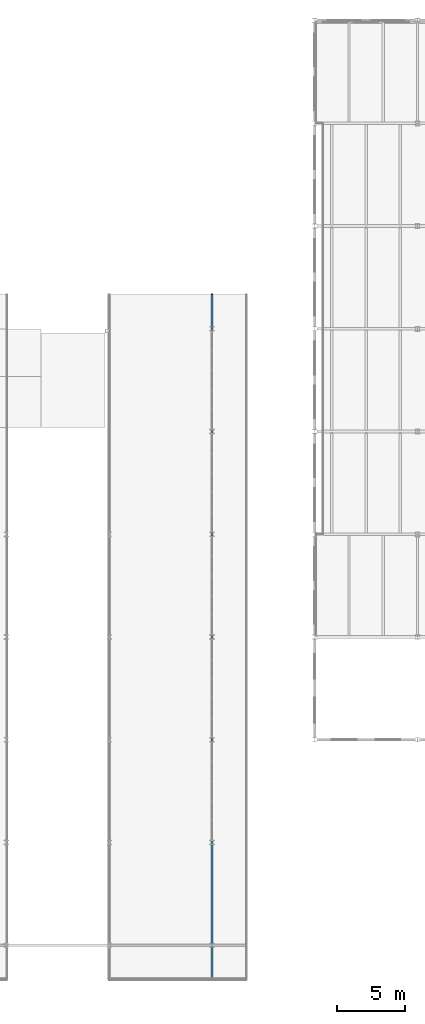
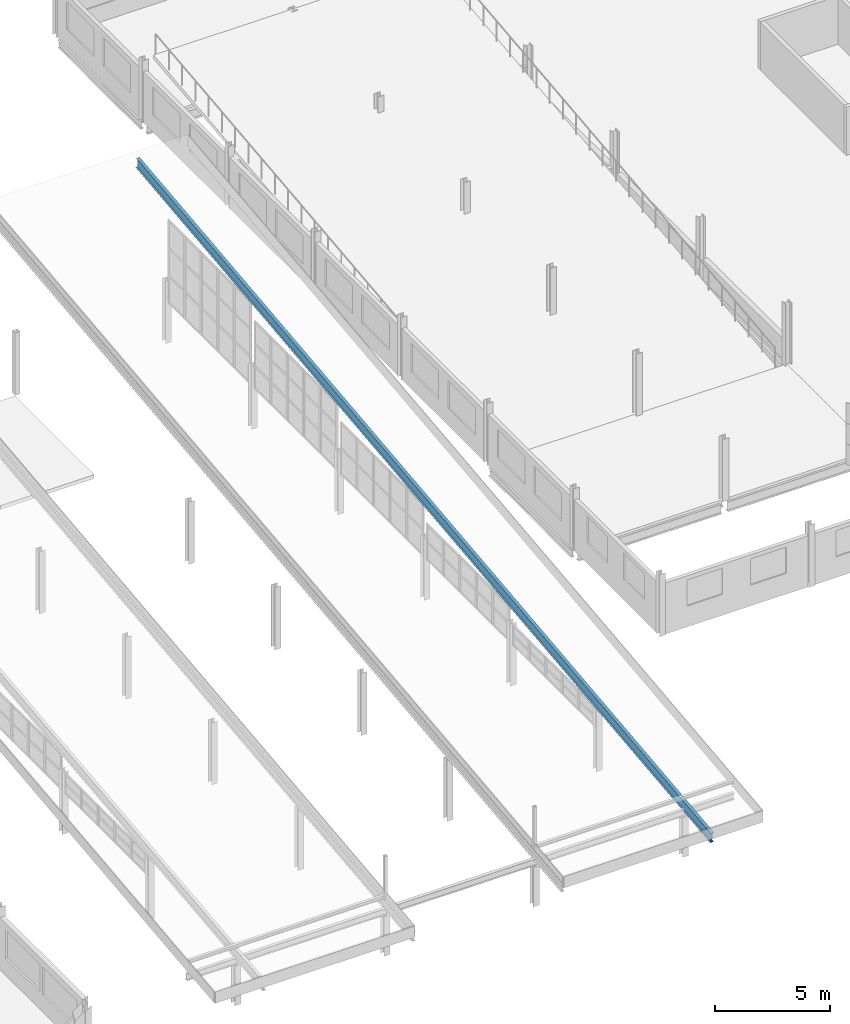
# One storey, part 38 of 199: 1 member.
"""IFC4 building model written with IfcOpenShell, lengths in metres."""

from ifc_helpers import new_model, si_unit, direction, frame, origin, origin_2d, place, context, subcontext, project, spatial, i_section, extrude, material, material_profile, profile_set, type_object, element, save


model = new_model("IFC4")

# Units and contexts
model_context = context("Model", 3, precision=1e-05, world=origin(), true_north=direction((0.0, 1.0)))
body_context = subcontext(model_context, "Body", "Model", "MODEL_VIEW")
ifc_project = project(units=[si_unit("LENGTHUNIT", "METRE"), si_unit("AREAUNIT", "SQUARE_METRE"), si_unit("VOLUMEUNIT", "CUBIC_METRE"), si_unit("PLANEANGLEUNIT", "RADIAN"), si_unit("MASSUNIT", "GRAM", prefix="KILO")], contexts=[model_context])

# Site, building, storey
site_placement = place(None, origin())
site = spatial("IfcSite", under=ifc_project, at=site_placement, CompositionType="ELEMENT")
building_placement = place(site_placement, origin())
building = spatial("IfcBuilding", under=site, at=building_placement, Name="Parallax Yard Mobility Hub", CompositionType="ELEMENT")
storey_placement = place(building_placement, frame((0.0, 0.0, 9.89990234375)))
storey = spatial("IfcBuildingStorey", under=building, at=storey_placement, Name="L03", CompositionType="ELEMENT", Elevation=9.89990234375)

# Member
ifc_material = material(Name="Steel ASTM A992", Category="steel")
ifc_material_profile = material_profile(ifc_material, i_section(OverallWidth=0.166015625, OverallDepth=0.529052734375, WebThickness=0.009765625, FlangeThickness=0.013671875, at=origin_2d()), Name="W530x74")
ifc_profile_set = profile_set([ifc_material_profile], Name="Steel ASTM A992")
member_type = type_object("IfcMemberType", Name="Hall roof rafter W530x74", PredefinedType="RAFTER", material=ifc_profile_set)
member_placement = place(storey_placement, frame((172.5, 5.029296875, 2.40673828125), z_axis=(0.0, 0.993883497942, 0.110433656637), x_axis=(-1.0, 0.0, 0.0)))
element("IfcMember", 1, at=member_placement, inside=storey, type_object=member_type, Name="Hall roof rafter at x 172.5", PredefinedType="RAFTER", context=body_context, shape_type="SweptSolid", body=[
    extrude(i_section(OverallWidth=0.166015625, OverallDepth=0.529052734375, WebThickness=0.009765625, FlangeThickness=0.013671875, at=origin_2d()), origin(), (0.0, 0.0, 1.0), 50.3076171875),
])

save(model, "model.ifc")
